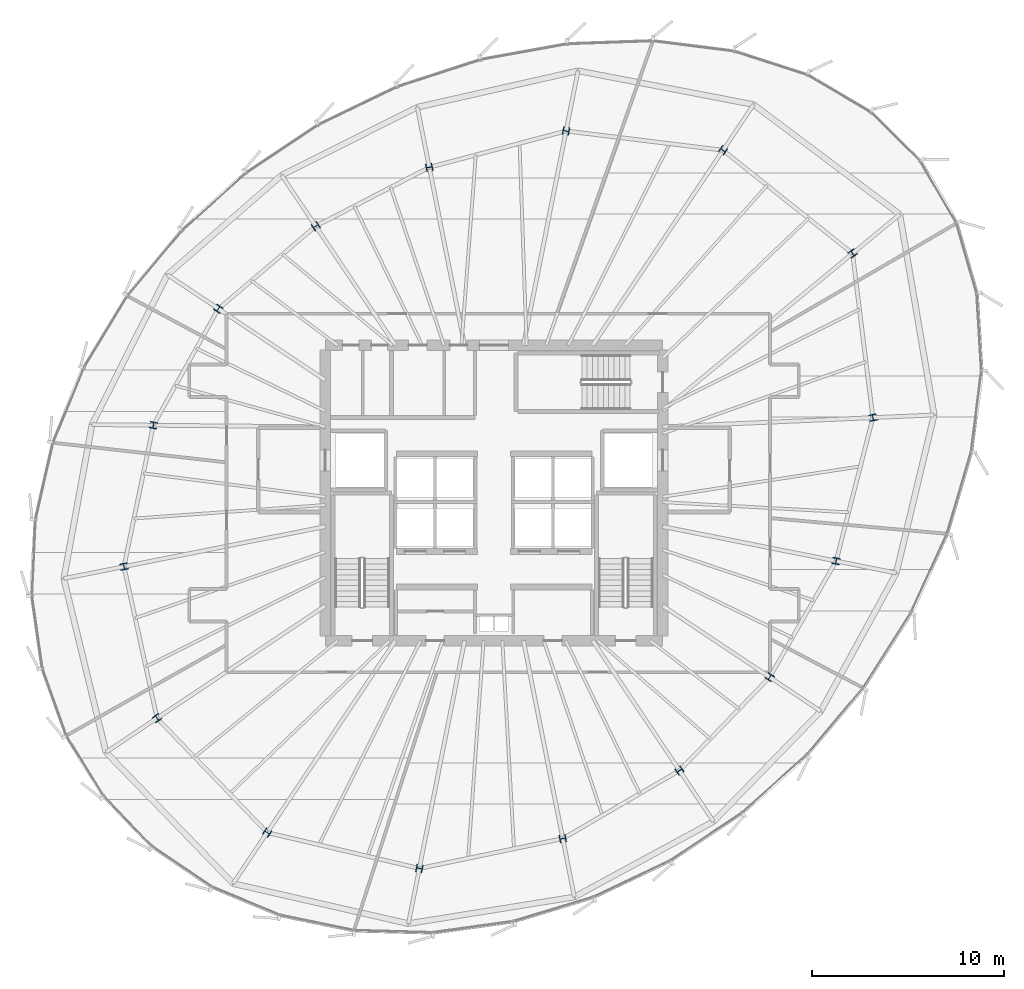
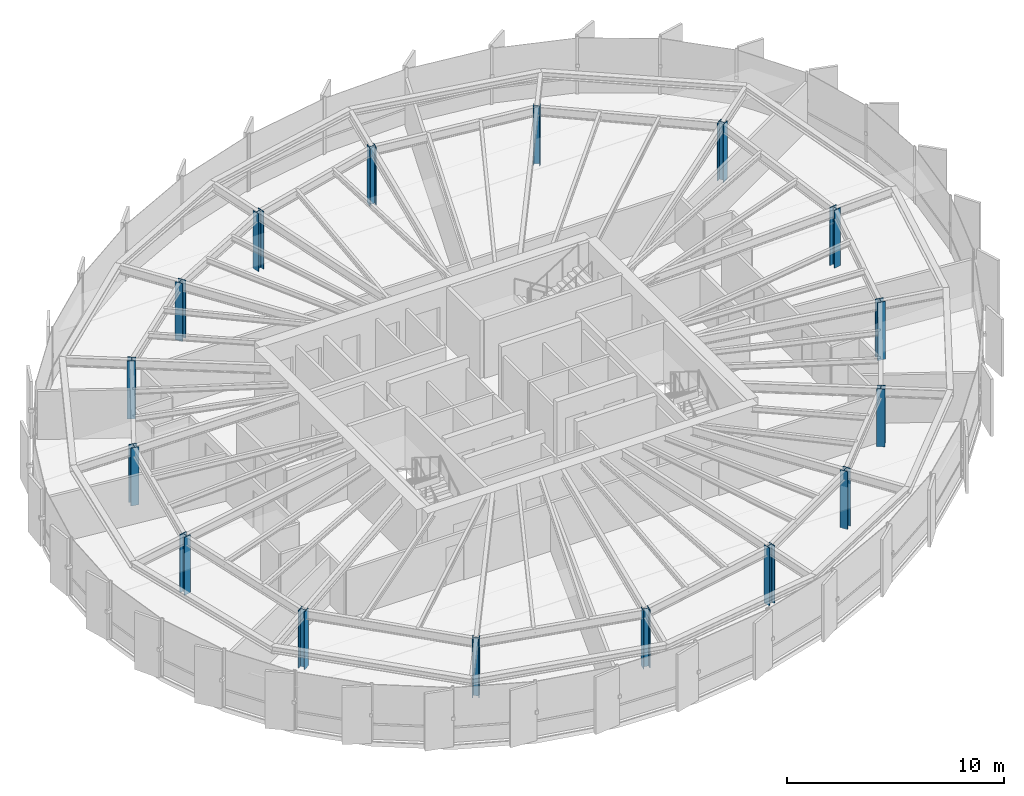
# One storey, part 1 of 34: 16 columns.
"""IFC4 building model written with IfcOpenShell, lengths in metres."""

from ifc_helpers import new_model, si_unit, direction, frame, origin, origin_2d, place, context, subcontext, project, spatial, i_section, extrude, source, transform, mapped, material, material_profile, profile_set, type_object, element, save


model = new_model("IFC4")

# Units and contexts
model_context = context("Model", 3, precision=1e-05, world=origin(), true_north=direction((0.0, 1.0)))
body_context = subcontext(model_context, "Body", "Model", "MODEL_VIEW")
ifc_project = project(units=[si_unit("LENGTHUNIT", "METRE"), si_unit("AREAUNIT", "SQUARE_METRE"), si_unit("VOLUMEUNIT", "CUBIC_METRE"), si_unit("PLANEANGLEUNIT", "RADIAN"), si_unit("MASSUNIT", "GRAM", prefix="KILO"), si_unit("THERMODYNAMICTEMPERATUREUNIT", "KELVIN")], contexts=[model_context])

# Site, building, storey
site_placement = place(None, origin())
site = spatial("IfcSite", under=ifc_project, at=site_placement, CompositionType="ELEMENT")
building_placement = place(site_placement, origin())
building = spatial("IfcBuilding", under=site, at=building_placement, Name="Kethvar Cultural Tower", CompositionType="ELEMENT")
storey_placement = place(building_placement, frame((0.0, 0.0, 186.89990234375)))
storey = spatial("IfcBuildingStorey", under=building, at=storey_placement, Name="L48", CompositionType="ELEMENT", Elevation=186.89990234375)

# Columns
ifc_material = material(Name="Steel S460M", Category="steel")
ifc_material_profile = material_profile(ifc_material, i_section(OverallWidth=0.39111328125, OverallDepth=0.3349609375, WebThickness=0.022705078125, FlangeThickness=0.033935546875, FilletRadius=0.014892578125, at=origin_2d()), Name="Steel S460M — HD400x463")
ifc_profile_set = profile_set([ifc_material_profile], Name="Steel S460M — HD400x463")
column_type = type_object("IfcColumnType", Name="COL-HD463", PredefinedType="COLUMN", material=ifc_profile_set)
shared_shape = source(origin(), body_context, "Body", "SweptSolid", [
    extrude(i_section(OverallWidth=0.39111328125, OverallDepth=0.3349609375, WebThickness=0.022705078125, FlangeThickness=0.033935546875, FilletRadius=0.014892578125, at=origin_2d()), origin(), (0.0, 0.0, 1.0), 3.260009765625),
])
for number, where, z_axis, x_axis, name in (
    (1, (66.56396484375, 31.731201171875, 0.0), (0.0, 0.0, 1.0), (0.980785280403, 0.195090322016, 0.0), "L48 Mega-Column MC-01"),
    (2, (65.504150390625, 40.297607421875, 0.0), (0.0, 0.0, 1.0), (0.831469612303, 0.55557023302, 0.0), "L48 Mega-Column MC-02"),
    (3, (58.748046875, 45.681396484375, 0.0), (0.0, 0.0, 1.0), (0.55557023302, 0.831469612303, 0.0), "L48 Mega-Column MC-03"),
    (4, (50.556884765625, 46.6875, 0.0), (0.0, 0.0, 1.0), (0.195090322016, 0.980785280403, 0.0), "L48 Mega-Column MC-04"),
    (5, (43.420654296875, 44.789306640625, 0.0), (0.0, 0.0, 1.0), (-0.195090322016, 0.980785280403, 0.0), "L48 Mega-Column MC-05"),
    (6, (37.498779296875, 41.720458984375, 0.0), (0.0, 0.0, 1.0), (-0.55557023302, 0.831469612303, 0.0), "L48 Mega-Column MC-06"),
    (7, (32.418212890625, 37.409423828125, 0.0), (0.0, 0.0, 1.0), (-0.831469612303, 0.55557023302, 0.0), "L48 Mega-Column MC-07"),
    (8, (29.02490234375, 31.335693359375, 0.0), (0.0, 0.0, 1.0), (-0.980785280403, 0.195090322016, 0.0), "L48 Mega-Column MC-08"),
    (9, (27.492919921875, 23.959716796875, 0.0), (0.0, 0.0, 1.0), (-0.980785280403, -0.195090322016, 0.0), "L48 Mega-Column MC-09"),
    (10, (29.217529296875, 16.0517578125, 0.0), (0.0, 0.0, 1.0), (-0.831469612303, -0.55557023302, 0.0), "L48 Mega-Column MC-10"),
    (11, (34.962646484375, 10.084228515625, 0.0), (0.0, 0.0, 1.0), (-0.55557023302, -0.831469612303, 0.0), "L48 Mega-Column MC-11"),
    (12, (42.903564453125, 8.2109375, 0.0), (0.0, 0.0, 1.0), (-0.195090322016, -0.980785280403, 0.0), "L48 Mega-Column MC-12"),
    (13, (50.38671875, 9.7685546875, 0.0), (0.0, 0.0, 1.0), (0.195090322016, -0.980785280403, 0.0), "L48 Mega-Column MC-13"),
    (14, (56.474609375, 13.32080078125, 0.0), (0.0, 0.0, 1.0), (0.55557023302, -0.831469612303, 0.0), "L48 Mega-Column MC-14"),
    (15, (61.1826171875, 18.18994140625, 0.0), (0.0, 0.0, 1.0), (0.831469612303, -0.55557023302, 0.0), "L48 Mega-Column MC-15"),
    (16, (64.648681640625, 24.249755859375, 0.0), (0.0, 0.0, 1.0), (0.980785280403, -0.195090322016, 0.0), "L48 Mega-Column MC-16"),
):
    element("IfcColumn", number, at=place(storey_placement, frame(where, z_axis=z_axis, x_axis=x_axis)), inside=storey, type_object=column_type, Name=name, PredefinedType="COLUMN", context=body_context, shape_type="MappedRepresentation", body=[
        mapped(shared_shape, transform((0.0, 0.0, 0.0), scale=1.0)),
    ])

save(model, "model.ifc")
